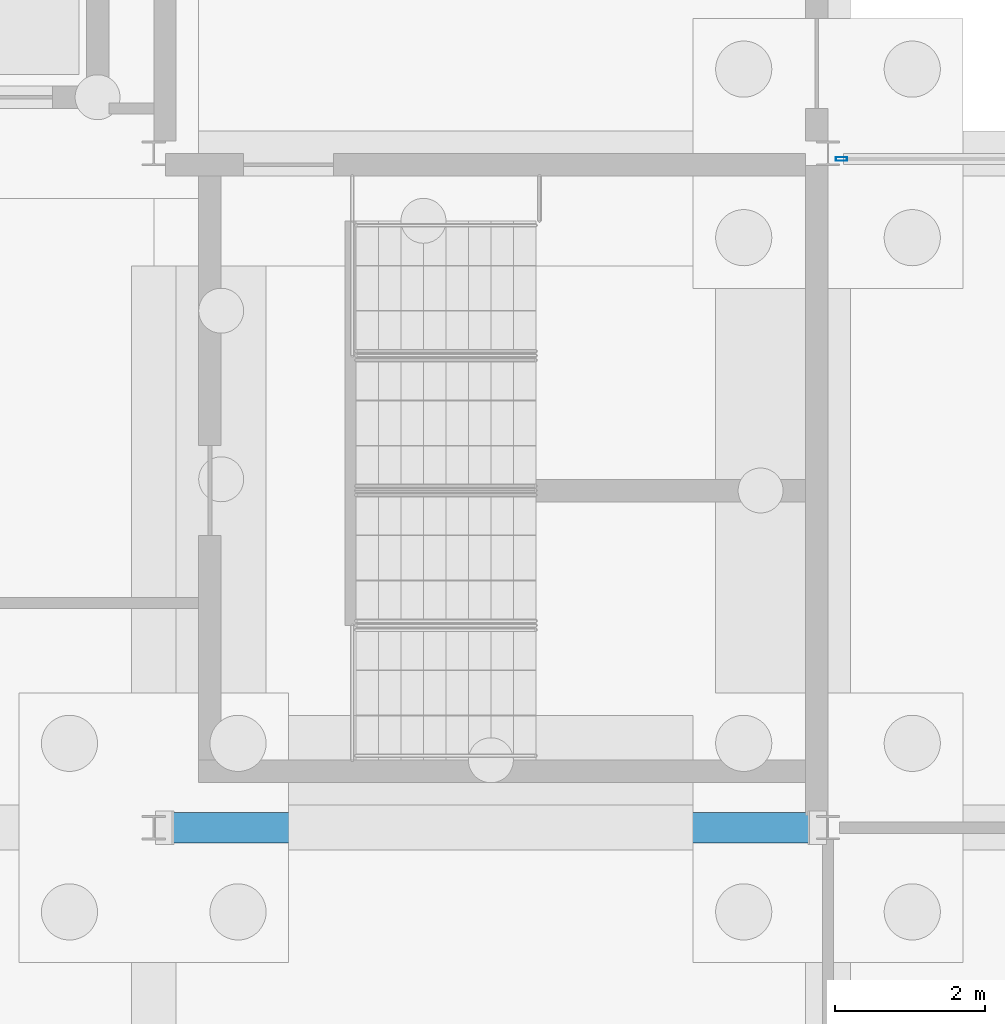
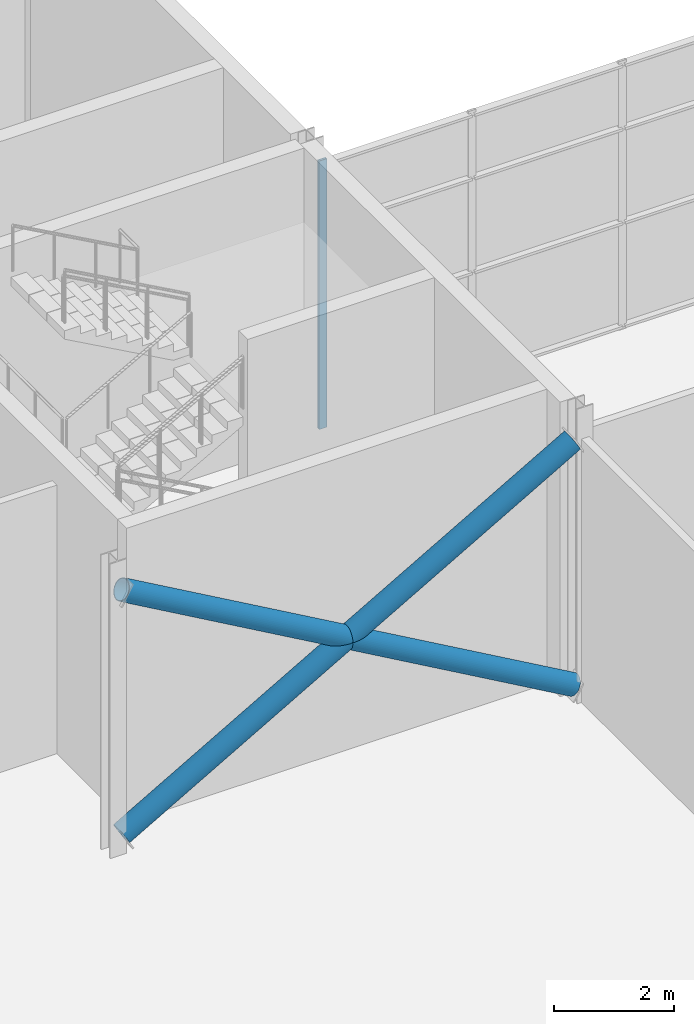
# One storey, part 68 of 139: 3 members, 1 element without a shape of its own.
"""IFC4 building model written with IfcOpenShell, lengths in metres."""

from ifc_helpers import new_model, si_unit, direction, frame, origin, origin_2d, place, context, subcontext, project, spatial, hollow_rectangle, hollow_circle, extrude, material, layer, layer_set, material_profile, profile_set, type_object, element, aggregate, save


model = new_model("IFC4")

# Units and contexts
model_context = context("Model", 3, precision=1e-05, world=origin(), true_north=direction((0.0, 1.0)))
body_context = subcontext(model_context, "Body", "Model", "MODEL_VIEW")
ifc_project = project(units=[si_unit("LENGTHUNIT", "METRE"), si_unit("AREAUNIT", "SQUARE_METRE"), si_unit("VOLUMEUNIT", "CUBIC_METRE"), si_unit("PLANEANGLEUNIT", "RADIAN"), si_unit("MASSUNIT", "GRAM", prefix="KILO")], contexts=[model_context])

# Site, building, storey
site_placement = place(None, origin())
site = spatial("IfcSite", under=ifc_project, at=site_placement, CompositionType="ELEMENT")
building_placement = place(site_placement, origin())
building = spatial("IfcBuilding", under=site, at=building_placement, Name="Shorebreak Coast Museum", CompositionType="ELEMENT")
storey_placement = place(building_placement, origin())
storey = spatial("IfcBuildingStorey", under=building, at=storey_placement, Name="L00", CompositionType="ELEMENT", Elevation=0.0)

# Curtain wall, member
ifc_material_1 = material(Name="Aluminium", Category="aluminium")
ifc_layer = layer(ifc_material_1, 0.14990234375)
ifc_layer_set = layer_set([ifc_layer], Name="Aluminium")
curtain_wall_type = type_object("IfcCurtainWallType", Name="Storefront curtain wall", PredefinedType="NOTDEFINED", material=ifc_layer_set)
curtain_wall_placement = place(storey_placement, origin())
curtain_wall = element("IfcCurtainWall", 1, at=curtain_wall_placement, inside=storey, type_object=curtain_wall_type, Name="Storefront L00 N 2", PredefinedType="NOTDEFINED")
ifc_material_2 = material(Name="Aluminium", Category="aluminium")
ifc_material_profile_1 = material_profile(ifc_material_2, hollow_rectangle(XDim=0.050048828125, YDim=0.14990234375, WallThickness=0.00390625, at=origin_2d()), Name="AL 150x50 RHS")
ifc_profile_set_1 = profile_set([ifc_material_profile_1], Name="Aluminium")
member_type_1 = type_object("IfcMemberType", Name="Storefront mullion 50 x 150", PredefinedType="MULLION", material=ifc_profile_set_1)
member_placement = place(storey_placement, frame((117.180419921875, 89.925048828125, 0.0), z_axis=(0.0, 0.0, 1.0), x_axis=(0.0, 1.0, 0.0)))
member = element("IfcMember", 2, at=member_placement, type_object=member_type_1, Name="CW8 mullion 1", PredefinedType="MULLION", context=body_context, shape_type="SweptSolid", body=[
    extrude(hollow_rectangle(XDim=0.050048828125, YDim=0.14990234375, WallThickness=0.00390625, at=origin_2d()), origin(), (0.0, 0.0, 1.0), 5.469482421875),
])
aggregate(curtain_wall, [member])

# Members
ifc_material_3 = material(Name="Steel Grade C350L0", Category="steel")
ifc_material_profile_2 = material_profile(ifc_material_3, hollow_circle(Radius=0.203125, WallThickness=0.0126953125, at=origin_2d()), Name="406.4x12.7 CHS")
ifc_profile_set_2 = profile_set([ifc_material_profile_2], Name="Steel Grade C350L0")
member_type_2 = type_object("IfcMemberType", Name="X-brace 406.4x12.7 CHS", PredefinedType="BRACE", material=ifc_profile_set_2)
for number, where, z_axis, x_axis, name in (
    (3, (108.155517578125, 81.0, 0.300048828125), (0.86784825632, 0.0, 0.496829350987), (0.0, 1.0, 0.0), "X-brace bay 04 L00 diagonal 1"),
    (4, (116.845458984375, 81.0, 0.300048828125), (-0.86784825632, 0.0, 0.496829350987), (0.0, -1.0, 0.0), "X-brace bay 04 L00 diagonal 2"),
):
    element("IfcMember", number, at=place(storey_placement, frame(where, z_axis=z_axis, x_axis=x_axis)), inside=storey, type_object=member_type_2, Name=name, PredefinedType="BRACE", context=body_context, shape_type="SweptSolid", body=[
        extrude(hollow_circle(Radius=0.203125, WallThickness=0.0126953125, at=origin_2d()), origin(), (0.0, 0.0, 1.0), 10.01318359375),
    ])

save(model, "model.ifc")
